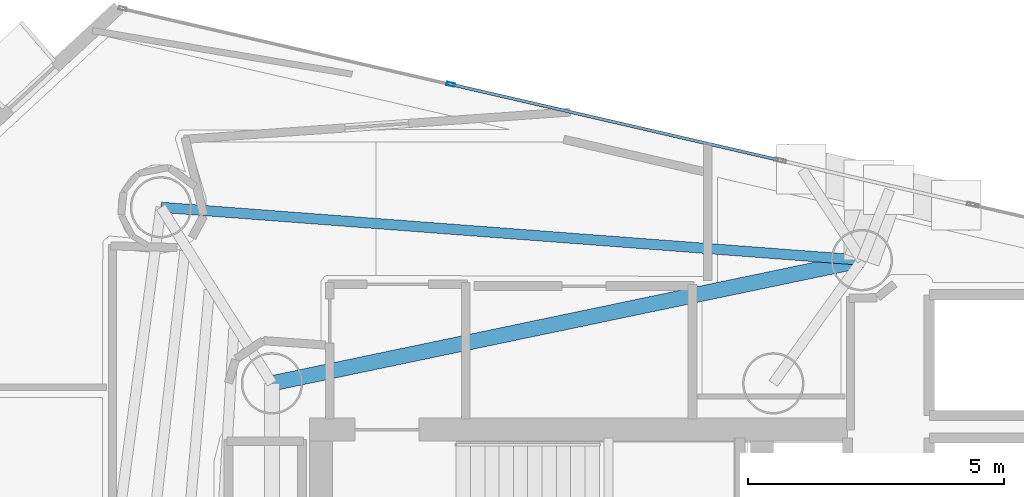
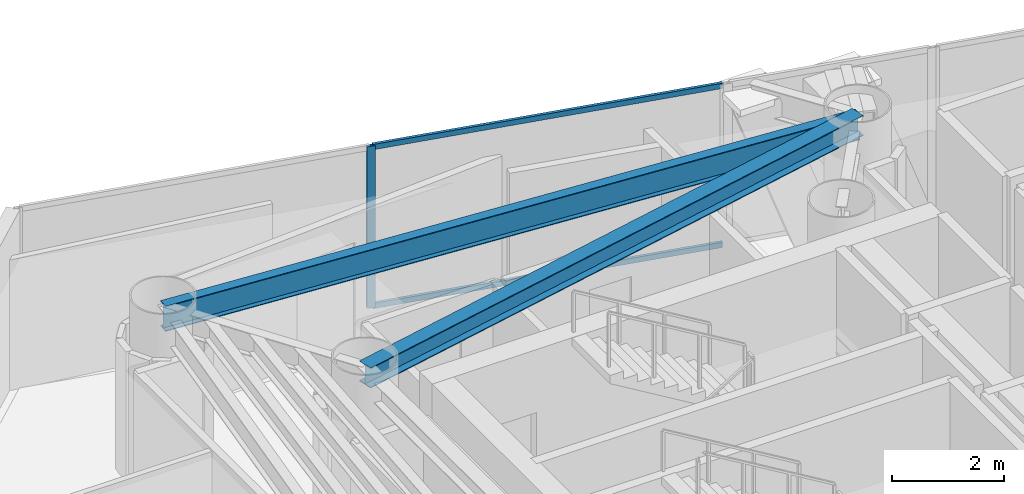
# One storey, part 11 of 22: 3 members, 2 beams, 1 element without a shape of its own.
"""IFC4 building model written with IfcOpenShell, lengths in metres."""

from ifc_helpers import new_model, si_unit, direction, frame, origin, origin_2d, place, context, subcontext, project, spatial, hollow_rectangle, i_section, extrude, material, layer, layer_set, material_profile, profile_set, type_object, element, aggregate, save


model = new_model("IFC4")

# Units and contexts
model_context = context("Model", 3, precision=1e-05, world=origin(), true_north=direction((0.0, 1.0)))
body_context = subcontext(model_context, "Body", "Model", "MODEL_VIEW")
ifc_project = project(units=[si_unit("LENGTHUNIT", "METRE"), si_unit("AREAUNIT", "SQUARE_METRE"), si_unit("VOLUMEUNIT", "CUBIC_METRE"), si_unit("PLANEANGLEUNIT", "RADIAN"), si_unit("MASSUNIT", "GRAM", prefix="KILO")], contexts=[model_context])

# Site, building, storey
site_placement = place(None, origin())
site = spatial("IfcSite", under=ifc_project, at=site_placement, CompositionType="ELEMENT")
building_placement = place(site_placement, origin())
building = spatial("IfcBuilding", under=site, at=building_placement, Name="Qianvela Tower", CompositionType="ELEMENT")
storey_placement = place(building_placement, frame((0.0, 0.0, 204.0)))
storey = spatial("IfcBuildingStorey", under=building, at=storey_placement, Name="L52", CompositionType="ELEMENT", Elevation=204.0)

# Beams
ifc_material_1 = material(Name="Steel Q355B", Category="steel")
ifc_material_profile_1 = material_profile(ifc_material_1, i_section(OverallWidth=0.300048828125, OverallDepth=0.43994140625, WebThickness=0.010986328125, FlangeThickness=0.01806640625, at=origin_2d()), Name="HM440x300x11x18")
ifc_profile_set_1 = profile_set([ifc_material_profile_1], Name="Steel Q355B")
beam_type_1 = type_object("IfcBeamType", Name="BM-HM440-COLL", PredefinedType="BEAM", material=ifc_profile_set_1)
beam_1_placement = place(storey_placement, frame((28.60009765625, 33.550048828125, 3.298095703125), z_axis=(0.978884270582, 0.204415226456, 0.0), x_axis=(-0.204415226456, 0.978884270582, 0.0)))
element("IfcBeam", 1, at=beam_1_placement, inside=storey, type_object=beam_type_1, Name="L52 Perimeter Ring Tie Girder 1B", PredefinedType="BEAM", context=body_context, shape_type="SweptSolid", body=[
    extrude(i_section(OverallWidth=0.300048828125, OverallDepth=0.43994140625, WebThickness=0.010986328125, FlangeThickness=0.01806640625, at=origin_2d()), origin(), (0.0, 0.0, 1.0), 11.77978515625),
])
ifc_material_2 = material(Name="Steel Q355B", Category="steel")
ifc_material_profile_2 = material_profile(ifc_material_2, i_section(OverallWidth=0.199951171875, OverallDepth=0.550048828125, WebThickness=0.010009765625, FlangeThickness=0.01611328125, at=origin_2d()), Name="HN550x200x10x16")
ifc_profile_set_2 = profile_set([ifc_material_profile_2], Name="Steel Q355B")
beam_type_2 = type_object("IfcBeamType", Name="BM-HN550-GIRD", PredefinedType="BEAM", material=ifc_profile_set_2)
beam_2_placement = place(storey_placement, frame((40.131103515625, 35.9580078125, 3.242919921875), z_axis=(-0.997164346928, 0.075254669065, 0.0), x_axis=(-0.075254669065, -0.997164346928, 0.0)))
element("IfcBeam", 2, at=beam_2_placement, inside=storey, type_object=beam_type_2, Name="L52 Perimeter Ring Spandrel Girder 2", PredefinedType="BEAM", context=body_context, shape_type="SweptSolid", body=[
    extrude(i_section(OverallWidth=0.199951171875, OverallDepth=0.550048828125, WebThickness=0.010009765625, FlangeThickness=0.01611328125, at=origin_2d()), origin(), (0.0, 0.0, 1.0), 13.7392578125),
])

# Curtain wall, members
ifc_material_3 = material(Name="Anodised Architectural Aluminium and Low-E Glass", Category="aluminium")
ifc_layer = layer(ifc_material_3, 0.159912109375)
ifc_layer_set = layer_set([ifc_layer], Name="Anodised Architectural Aluminium and Low-E Glass")
curtain_wall_type = type_object("IfcCurtainWallType", Name="CW-COLIV-Z56", PredefinedType="USERDEFINED", material=ifc_layer_set)
curtain_wall_placement = place(storey_placement, origin())
curtain_wall = element("IfcCurtainWall", 3, at=curtain_wall_placement, inside=storey, type_object=curtain_wall_type, Name="L52 CW-COLIV-Z56 Curtain Wall 02C", ObjectType="CURTAIN_WALL_SYSTEM", PredefinedType="USERDEFINED")
ifc_material_4 = material(Name="Anodised Architectural Aluminium 6063-T6", Category="aluminium")
ifc_material_profile_3 = material_profile(ifc_material_4, hollow_rectangle(XDim=0.06494140625, YDim=0.159912109375, WallThickness=0.0048828125, at=origin_2d()), Name="ALU-MULL-65x160")
ifc_profile_set_3 = profile_set([ifc_material_profile_3], Name="Anodised Architectural Aluminium 6063-T6")
member_type_1 = type_object("IfcMemberType", Name="CW-COLIV-Z56-MULL", PredefinedType="MULLION", material=ifc_profile_set_3)
member_1_placement = place(storey_placement, frame((32.094482421875, 39.394775390625, 0.0), z_axis=(0.0, 0.0, 1.0), x_axis=(-0.224835765484, -0.974396674132, 0.0)))
member_1 = element("IfcMember", 4, at=member_1_placement, type_object=member_type_1, Name="CW-5 mullion 2", PredefinedType="MULLION", context=body_context, shape_type="SweptSolid", body=[
    extrude(hollow_rectangle(XDim=0.06494140625, YDim=0.159912109375, WallThickness=0.0048828125, at=origin_2d()), origin(), (0.0, 0.0, 1.0), 3.52001953125),
])
ifc_material_5 = material(Name="Anodised Architectural Aluminium 6063-T6", Category="aluminium")
ifc_material_profile_4 = material_profile(ifc_material_5, hollow_rectangle(XDim=0.06005859375, YDim=0.114990234375, WallThickness=0.00390625, at=origin_2d()), Name="ALU-TRAN-60x115")
ifc_profile_set_4 = profile_set([ifc_material_profile_4], Name="Anodised Architectural Aluminium 6063-T6")
member_type_2 = type_object("IfcMemberType", Name="CW-COLIV-Z56-TRAN", PredefinedType="USERDEFINED", material=ifc_profile_set_4)
member_2_placement = place(storey_placement, frame((38.4755859375, 37.92236328125, 0.030029296875), z_axis=(-0.974398141048, 0.224829408045, 0.0), x_axis=(-0.224829408045, -0.974398141048, 0.0)))
member_2 = element("IfcMember", 5, at=member_2_placement, type_object=member_type_2, Name="CW-5 transom 1.1", ObjectType="TRANSOM", PredefinedType="USERDEFINED", context=body_context, shape_type="SweptSolid", body=[
    extrude(hollow_rectangle(XDim=0.06005859375, YDim=0.114990234375, WallThickness=0.00390625, at=origin_2d()), origin(), (0.0, 0.0, 1.0), 6.516357421875),
])
member_3_placement = place(storey_placement, frame((38.4755859375, 37.92236328125, 3.489990234375), z_axis=(-0.974398141048, 0.224829408045, 0.0), x_axis=(-0.224829408045, -0.974398141048, 0.0)))
member_3 = element("IfcMember", 6, at=member_3_placement, type_object=member_type_2, Name="CW-5 transom 1.2", ObjectType="TRANSOM", PredefinedType="USERDEFINED", context=body_context, shape_type="SweptSolid", body=[
    extrude(hollow_rectangle(XDim=0.06005859375, YDim=0.114990234375, WallThickness=0.00390625, at=origin_2d()), origin(), (0.0, 0.0, 1.0), 6.516357421875),
])
aggregate(curtain_wall, [member_1, member_2, member_3])

save(model, "model.ifc")
